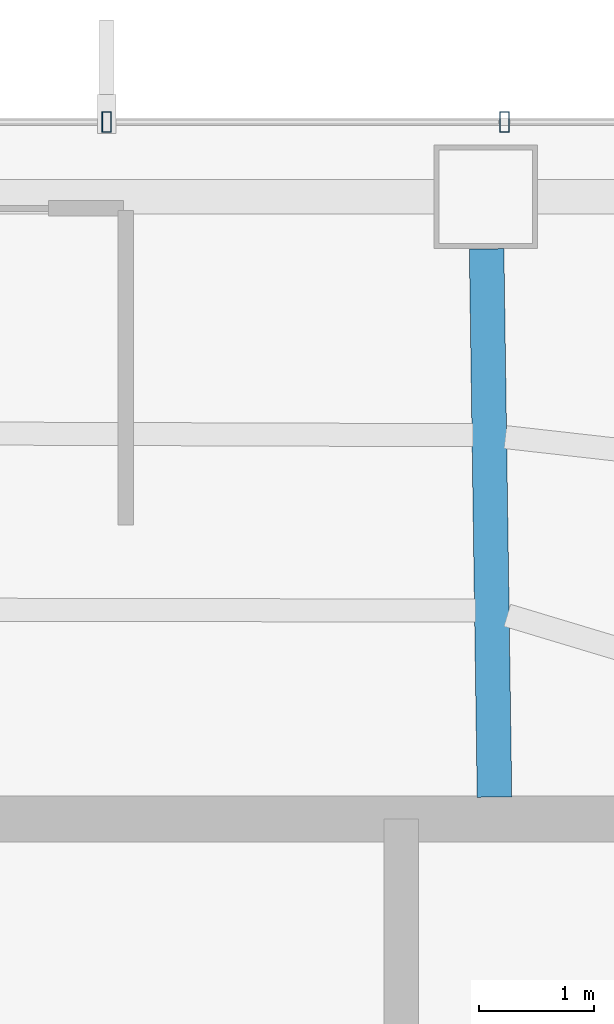
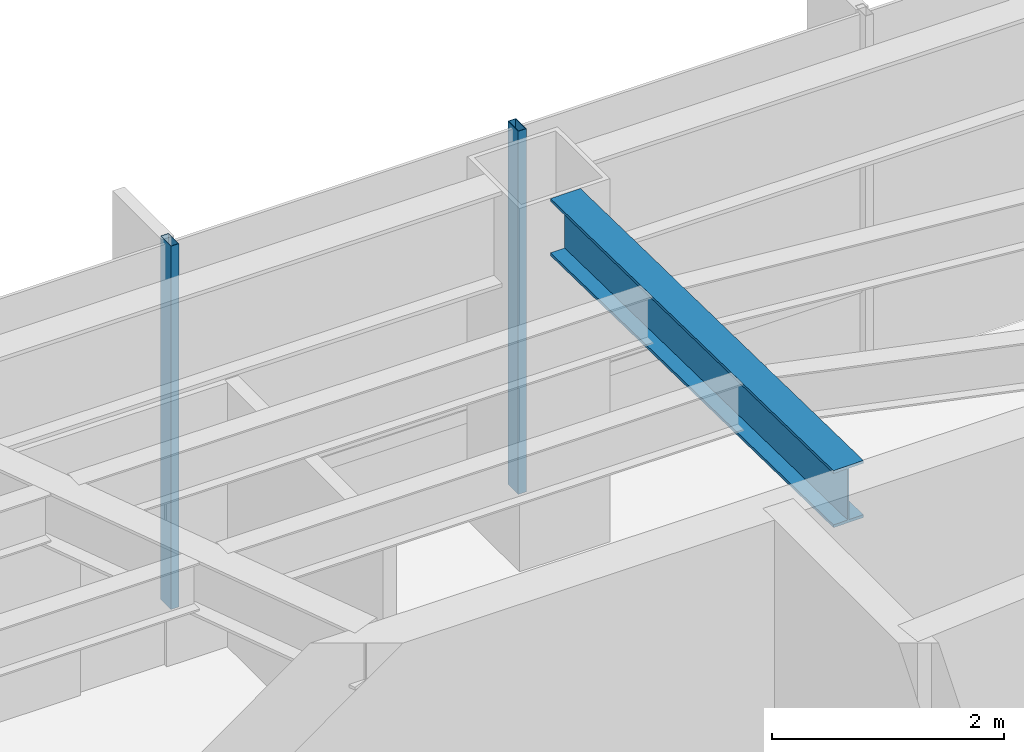
# One storey, part 13 of 24: 2 members, 1 beam, 1 element without a shape of its own.
"""IFC4 building model written with IfcOpenShell, lengths in metres."""

from ifc_helpers import new_model, si_unit, direction, frame, origin, origin_2d, place, context, subcontext, project, spatial, hollow_rectangle, i_section, extrude, material, layer, layer_set, material_profile, profile_set, type_object, element, aggregate, save


model = new_model("IFC4")

# Units and contexts
model_context = context("Model", 3, precision=1e-05, world=origin(), true_north=direction((0.0, 1.0)))
body_context = subcontext(model_context, "Body", "Model", "MODEL_VIEW")
ifc_project = project(units=[si_unit("LENGTHUNIT", "METRE"), si_unit("AREAUNIT", "SQUARE_METRE"), si_unit("VOLUMEUNIT", "CUBIC_METRE"), si_unit("PLANEANGLEUNIT", "RADIAN"), si_unit("MASSUNIT", "GRAM", prefix="KILO")], contexts=[model_context])

# Site, building, storey
site_placement = place(None, origin())
site = spatial("IfcSite", under=ifc_project, at=site_placement, CompositionType="ELEMENT")
building_placement = place(site_placement, origin())
building = spatial("IfcBuilding", under=site, at=building_placement, Name="Zarrinselat Tower", CompositionType="ELEMENT")
storey_placement = place(building_placement, frame((0.0, 0.0, 96.89990234375)))
storey = spatial("IfcBuildingStorey", under=building, at=storey_placement, Name="L23", CompositionType="ELEMENT", Elevation=96.89990234375)

# Beam
ifc_material_1 = material(Name="Steel S355J2", Category="steel")
ifc_material_profile_1 = material_profile(ifc_material_1, i_section(OverallWidth=0.300048828125, OverallDepth=0.60009765625, WebThickness=0.015380859375, FlangeThickness=0.030029296875, at=origin_2d()), Name="HEB 600")
ifc_profile_set_1 = profile_set([ifc_material_profile_1], Name="Steel S355J2")
beam_type = type_object("IfcBeamType", Name="BM-HEB600", PredefinedType="BEAM", material=ifc_profile_set_1)
beam_placement = place(storey_placement, frame((45.731689453125, 48.39794921875, 3.52001953125), z_axis=(0.014365596319, -0.999896809497, 0.0), x_axis=(0.999896809497, 0.014365596319, 0.0)))
element("IfcBeam", 1, at=beam_placement, inside=storey, type_object=beam_type, Name="L23 Radial Primary Girder RG02", PredefinedType="BEAM", context=body_context, shape_type="SweptSolid", body=[
    extrude(i_section(OverallWidth=0.300048828125, OverallDepth=0.60009765625, WebThickness=0.015380859375, FlangeThickness=0.030029296875, at=origin_2d()), origin(), (0.0, 0.0, 1.0), 4.758544921875),
])

# Curtain wall, members
ifc_material_2 = material(Name="Extruded Aluminium Alloy EN AW-6063 T6", Category="aluminium")
ifc_layer = layer(ifc_material_2, 0.18505859375)
ifc_layer_set = layer_set([ifc_layer], Name="Extruded Aluminium Alloy EN AW-6063 T6")
curtain_wall_type = type_object("IfcCurtainWallType", Name="CWS-OFF", PredefinedType="NOTDEFINED", material=ifc_layer_set)
curtain_wall_placement = place(storey_placement, origin())
curtain_wall = element("IfcCurtainWall", 2, at=curtain_wall_placement, inside=storey, type_object=curtain_wall_type, Name="L23 Unitised Curtain Wall CW-L23-E01", PredefinedType="NOTDEFINED")
ifc_material_3 = material(Name="Extruded Aluminium Alloy EN AW-6063 T6", Category="aluminium")
ifc_material_profile_2 = material_profile(ifc_material_3, hollow_rectangle(XDim=0.080078125, YDim=0.179931640625, WallThickness=0.0048828125, at=origin_2d()), Name="RHS 180x80x5")
ifc_profile_set_2 = profile_set([ifc_material_profile_2], Name="Extruded Aluminium Alloy EN AW-6063 T6")
member_type = type_object("IfcMemberType", Name="MEM-CW-MUL", PredefinedType="MULLION", material=ifc_profile_set_2)
member_1_placement = place(storey_placement, frame((45.88671875, 49.5, 0.0), z_axis=(0.0, 0.0, 1.0), x_axis=(-1.0, 0.0, 0.0)))
member_1 = element("IfcMember", 3, at=member_1_placement, type_object=member_type, Name="CW-L23-E01 Mullion 2", PredefinedType="MULLION", context=body_context, shape_type="SweptSolid", body=[
    extrude(hollow_rectangle(XDim=0.080078125, YDim=0.179931640625, WallThickness=0.0048828125, at=origin_2d()), origin(), (0.0, 0.0, 1.0), 3.820068359375),
])
member_2_placement = place(storey_placement, frame((42.432861328125, 49.5, 0.0), z_axis=(0.0, 0.0, 1.0), x_axis=(-1.0, 0.0, 0.0)))
member_2 = element("IfcMember", 4, at=member_2_placement, type_object=member_type, Name="CW-L23-E01 Mullion 3", PredefinedType="MULLION", context=body_context, shape_type="SweptSolid", body=[
    extrude(hollow_rectangle(XDim=0.080078125, YDim=0.179931640625, WallThickness=0.0048828125, at=origin_2d()), origin(), (0.0, 0.0, 1.0), 3.820068359375),
])
aggregate(curtain_wall, [member_1, member_2])

save(model, "model.ifc")
